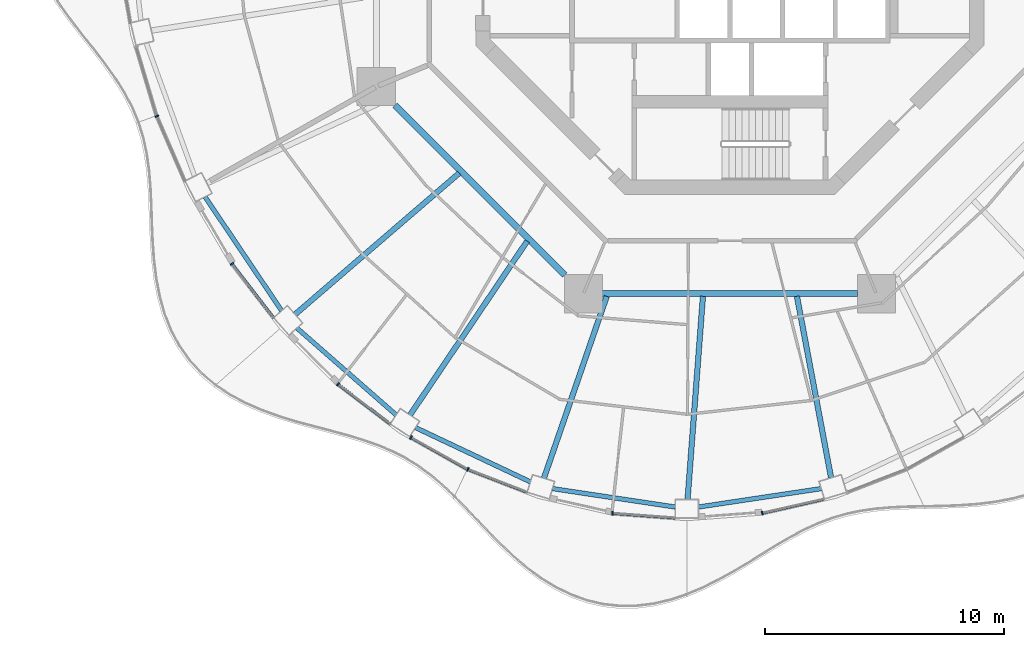
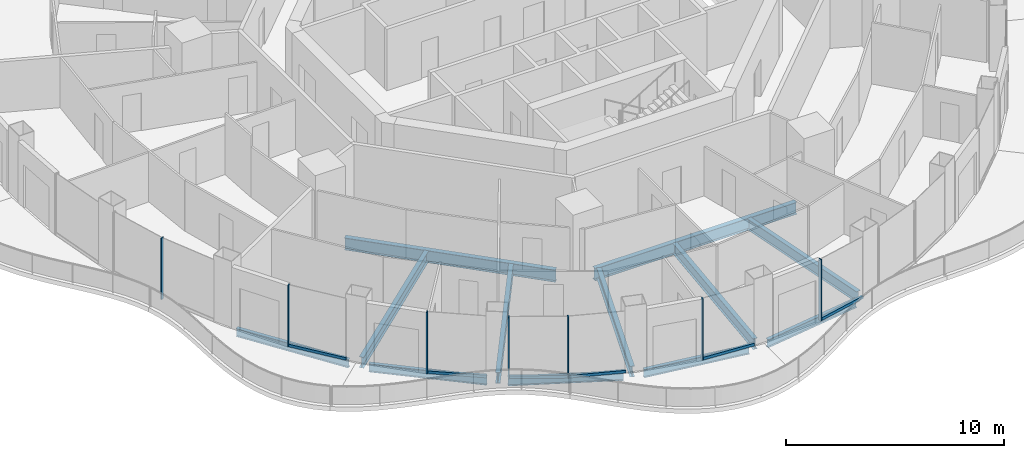
# One storey, part 2 of 18: 13 members, 12 beams, 7 elements without a shape of their own.
"""IFC4 building model written with IfcOpenShell, lengths in metres."""

from ifc_helpers import new_model, si_unit, direction, frame, origin, origin_2d, place, context, subcontext, project, spatial, rectangle, i_section, extrude, material, layer, layer_set, material_profile, profile_set, type_object, element, aggregate, save


model = new_model("IFC4")

# Units and contexts
model_context = context("Model", 3, precision=1e-05, world=origin(), true_north=direction((0.0, 1.0)))
body_context = subcontext(model_context, "Body", "Model", "MODEL_VIEW")
ifc_project = project(units=[si_unit("LENGTHUNIT", "METRE"), si_unit("AREAUNIT", "SQUARE_METRE"), si_unit("VOLUMEUNIT", "CUBIC_METRE"), si_unit("PLANEANGLEUNIT", "RADIAN"), si_unit("MASSUNIT", "GRAM", prefix="KILO")], contexts=[model_context])

# Site, building, storey
site_placement = place(None, origin())
site = spatial("IfcSite", under=ifc_project, at=site_placement, CompositionType="ELEMENT")
building_placement = place(site_placement, origin())
building = spatial("IfcBuilding", under=site, at=building_placement, Name="Nagisa Residences", CompositionType="ELEMENT")
storey_placement = place(building_placement, frame((0.0, 0.0, 227.0)))
storey = spatial("IfcBuildingStorey", under=building, at=storey_placement, Name="L57", CompositionType="ELEMENT", Elevation=227.0)

# Curtain wall, member
ifc_material_1 = material(Name="Concrete-coloured aluminium curtain wall system", Category="concrete")
ifc_layer = layer(ifc_material_1, 0.159912109375)
ifc_layer_set = layer_set([ifc_layer], Name="CW1 CURTAIN WALL")
curtain_wall_type = type_object("IfcCurtainWallType", Name="CW1 CURTAIN WALL", PredefinedType="NOTDEFINED", material=ifc_layer_set)
curtain_wall_1_placement = place(storey_placement, origin())
curtain_wall_1 = element("IfcCurtainWall", 1, at=curtain_wall_1_placement, inside=storey, type_object=curtain_wall_type, Name="cw:CW1:L57:27", PredefinedType="NOTDEFINED")
ifc_material_2 = material(Name="Concrete-coloured aluminium", Category="concrete")
ifc_material_profile_1 = material_profile(ifc_material_2, rectangle(XDim=0.159912109375, YDim=0.06005859375, at=origin_2d()), Name="CW1 MULLION 160x60")
ifc_profile_set_1 = profile_set([ifc_material_profile_1], Name="Concrete-coloured aluminium")
member_type_1 = type_object("IfcMemberType", Name="CW1 MULLION 160x60", PredefinedType="MULLION", material=ifc_profile_set_1)
member_1_placement = place(storey_placement, frame((-23.952392578125, -7.359619140625, 0.0), z_axis=(0.0, 0.0, 1.0), x_axis=(0.917543276295, 0.397635934147, 0.0)))
member_1 = element("IfcMember", 2, at=member_1_placement, type_object=member_type_1, Name="CW1 mullion", PredefinedType="MULLION", context=body_context, shape_type="SweptSolid", body=[
    extrude(rectangle(XDim=0.159912109375, YDim=0.06005859375, at=origin_2d()), origin(), (0.0, 0.0, 1.0), 3.43994140625),
])
aggregate(curtain_wall_1, [member_1])

curtain_wall_2_placement = place(storey_placement, origin())
curtain_wall_2 = element("IfcCurtainWall", 3, at=curtain_wall_2_placement, inside=storey, type_object=curtain_wall_type, Name="cw:CW1:L57:29", PredefinedType="NOTDEFINED")
member_2_placement = place(storey_placement, frame((-20.814453125, -13.53125, 0.0), z_axis=(0.0, 0.0, 1.0), x_axis=(0.792070340816, 0.610429828235, 0.0)))
member_2 = element("IfcMember", 4, at=member_2_placement, type_object=member_type_1, Name="CW1 mullion", PredefinedType="MULLION", context=body_context, shape_type="SweptSolid", body=[
    extrude(rectangle(XDim=0.159912109375, YDim=0.06005859375, at=origin_2d()), origin(), (0.0, 0.0, 1.0), 3.43994140625),
])

curtain_wall_3_placement = place(storey_placement, origin())
curtain_wall_3 = element("IfcCurtainWall", 5, at=curtain_wall_3_placement, inside=storey, type_object=curtain_wall_type, Name="cw:CW1:L57:31", PredefinedType="NOTDEFINED")
member_3_placement = place(storey_placement, frame((-16.380615234375, -18.566650390625, 0.0), z_axis=(0.0, 0.0, 1.0), x_axis=(0.605255421737, 0.79603132756, 0.0)))
member_3 = element("IfcMember", 6, at=member_3_placement, type_object=member_type_1, Name="CW1 mullion", PredefinedType="MULLION", context=body_context, shape_type="SweptSolid", body=[
    extrude(rectangle(XDim=0.159912109375, YDim=0.06005859375, at=origin_2d()), origin(), (0.0, 0.0, 1.0), 3.43994140625),
])

curtain_wall_4_placement = place(storey_placement, origin())
curtain_wall_4 = element("IfcCurtainWall", 7, at=curtain_wall_4_placement, inside=storey, type_object=curtain_wall_type, Name="cw:CW1:L57:32", PredefinedType="NOTDEFINED")
member_4_placement = place(storey_placement, frame((-13.333740234375, -20.792236328125, 0.0), z_axis=(0.0, 0.0, 1.0), x_axis=(0.489376918501, 0.872072377523, 0.0)))
member_4 = element("IfcMember", 8, at=member_4_placement, type_object=member_type_1, Name="CW1 mullion", PredefinedType="MULLION", context=body_context, shape_type="SweptSolid", body=[
    extrude(rectangle(XDim=0.159912109375, YDim=0.06005859375, at=origin_2d()), origin(), (0.0, 0.0, 1.0), 3.43994140625),
])

curtain_wall_5_placement = place(storey_placement, origin())
curtain_wall_5 = element("IfcCurtainWall", 9, at=curtain_wall_5_placement, inside=storey, type_object=curtain_wall_type, Name="cw:CW1:L57:33", PredefinedType="NOTDEFINED")
member_5_placement = place(storey_placement, frame((-10.954345703125, -22.12353515625, 0.0), z_axis=(0.0, 0.0, 1.0), x_axis=(0.360327770268, 0.932825759707, 0.0)))
member_5 = element("IfcMember", 10, at=member_5_placement, type_object=member_type_1, Name="CW1 mullion", PredefinedType="MULLION", context=body_context, shape_type="SweptSolid", body=[
    extrude(rectangle(XDim=0.159912109375, YDim=0.06005859375, at=origin_2d()), origin(), (0.0, 0.0, 1.0), 3.43994140625),
])

curtain_wall_6_placement = place(storey_placement, origin())
curtain_wall_6 = element("IfcCurtainWall", 11, at=curtain_wall_6_placement, inside=storey, type_object=curtain_wall_type, Name="cw:CW1:L57:35", PredefinedType="NOTDEFINED")
member_6_placement = place(storey_placement, frame((-4.906005859375, -23.96044921875, 0.0), z_axis=(0.0, 0.0, 1.0), x_axis=(0.074377355493, 0.997230168512, 0.0)))
member_6 = element("IfcMember", 12, at=member_6_placement, type_object=member_type_1, Name="CW1 mullion", PredefinedType="MULLION", context=body_context, shape_type="SweptSolid", body=[
    extrude(rectangle(XDim=0.159912109375, YDim=0.06005859375, at=origin_2d()), origin(), (0.0, 0.0, 1.0), 3.43994140625),
])

curtain_wall_7_placement = place(storey_placement, origin())
curtain_wall_7 = element("IfcCurtainWall", 13, at=curtain_wall_7_placement, inside=storey, type_object=curtain_wall_type, Name="cw:CW1:L57:37", PredefinedType="NOTDEFINED")
member_7_placement = place(storey_placement, frame((1.353271484375, -23.953369140625, 0.0), z_axis=(0.0, 0.0, 1.0), x_axis=(-0.2207639201, 0.975327274089, 0.0)))
member_7 = element("IfcMember", 14, at=member_7_placement, type_object=member_type_1, Name="CW1 mullion", PredefinedType="MULLION", context=body_context, shape_type="SweptSolid", body=[
    extrude(rectangle(XDim=0.159912109375, YDim=0.06005859375, at=origin_2d()), origin(), (0.0, 0.0, 1.0), 3.43994140625),
])

# Member
ifc_material_3 = material(Name="Concrete-coloured aluminium", Category="concrete")
ifc_material_profile_2 = material_profile(ifc_material_3, rectangle(XDim=0.1201171875, YDim=0.14990234375, at=origin_2d()), Name="CW1 TRANSOM 120x150")
ifc_profile_set_2 = profile_set([ifc_material_profile_2], Name="Concrete-coloured aluminium")
member_type_2 = type_object("IfcMemberType", Name="CW1 TRANSOM 120x150", PredefinedType="USERDEFINED", material=ifc_profile_set_2)
member_8_placement = place(storey_placement, frame((-20.832763671875, -13.507568359375, 0.074951171875), z_axis=(0.610438565676, -0.792063607001, 0.0), x_axis=(0.792063607001, 0.610438565676, 0.0)))
member_8 = element("IfcMember", 15, at=member_8_placement, type_object=member_type_2, Name="CW1 transom", ObjectType="TRANSOM", PredefinedType="USERDEFINED", context=body_context, shape_type="SweptSolid", body=[
    extrude(rectangle(XDim=0.1201171875, YDim=0.14990234375, at=origin_2d()), origin(), (0.0, 0.0, 1.0), 2.90087890625),
])

aggregate(curtain_wall_2, [member_2, member_8])

member_9_placement = place(storey_placement, frame((-16.404541015625, -18.548583984375, 0.074951171875), z_axis=(0.796064337132, -0.605212005124, 0.0), x_axis=(0.605212005124, 0.796064337132, 0.0)))
member_9 = element("IfcMember", 16, at=member_9_placement, type_object=member_type_2, Name="CW1 transom", ObjectType="TRANSOM", PredefinedType="USERDEFINED", context=body_context, shape_type="SweptSolid", body=[
    extrude(rectangle(XDim=0.1201171875, YDim=0.14990234375, at=origin_2d()), origin(), (0.0, 0.0, 1.0), 2.78857421875),
])

aggregate(curtain_wall_3, [member_3, member_9])

member_10_placement = place(storey_placement, frame((-13.35986328125, -20.777587890625, 0.074951171875), z_axis=(0.872063230277, -0.489393218586, 0.0), x_axis=(0.489393218586, 0.872063230277, 0.0)))
member_10 = element("IfcMember", 17, at=member_10_placement, type_object=member_type_2, Name="CW1 transom", ObjectType="TRANSOM", PredefinedType="USERDEFINED", context=body_context, shape_type="SweptSolid", body=[
    extrude(rectangle(XDim=0.1201171875, YDim=0.14990234375, at=origin_2d()), origin(), (0.0, 0.0, 1.0), 2.73828125),
])

aggregate(curtain_wall_4, [member_4, member_10])

member_11_placement = place(storey_placement, frame((-10.982421875, -22.11279296875, 0.074951171875), z_axis=(0.932838255163, -0.360295420044, 0.0), x_axis=(0.360295420044, 0.932838255163, 0.0)))
member_11 = element("IfcMember", 18, at=member_11_placement, type_object=member_type_2, Name="CW1 transom", ObjectType="TRANSOM", PredefinedType="USERDEFINED", context=body_context, shape_type="SweptSolid", body=[
    extrude(rectangle(XDim=0.1201171875, YDim=0.14990234375, at=origin_2d()), origin(), (0.0, 0.0, 1.0), 2.6962890625),
])

aggregate(curtain_wall_5, [member_5, member_11])

member_12_placement = place(storey_placement, frame((-4.935791015625, -23.958251953125, 0.074951171875), z_axis=(0.997233213085, -0.074336523458, 0.0), x_axis=(0.074336523458, 0.997233213085, 0.0)))
member_12 = element("IfcMember", 19, at=member_12_placement, type_object=member_type_2, Name="CW1 transom", ObjectType="TRANSOM", PredefinedType="USERDEFINED", context=body_context, shape_type="SweptSolid", body=[
    extrude(rectangle(XDim=0.1201171875, YDim=0.14990234375, at=origin_2d()), origin(), (0.0, 0.0, 1.0), 2.650390625),
])

aggregate(curtain_wall_6, [member_6, member_12])

member_13_placement = place(storey_placement, frame((1.32421875, -23.9599609375, 0.074951171875), z_axis=(0.975324089124, 0.220777990694, 0.0), x_axis=(-0.220777990694, 0.975324089124, 0.0)))
member_13 = element("IfcMember", 20, at=member_13_placement, type_object=member_type_2, Name="CW1 transom", ObjectType="TRANSOM", PredefinedType="USERDEFINED", context=body_context, shape_type="SweptSolid", body=[
    extrude(rectangle(XDim=0.1201171875, YDim=0.14990234375, at=origin_2d()), origin(), (0.0, 0.0, 1.0), 2.666015625),
])

aggregate(curtain_wall_7, [member_7, member_13])

# Beams
ifc_material_4 = material(Name="Steel ASTM A572 Gr 50", Category="steel")
ifc_material_profile_3 = material_profile(ifc_material_4, i_section(OverallWidth=0.2529296875, OverallDepth=0.677978515625, WebThickness=0.01171875, FlangeThickness=0.016357421875, at=origin_2d()), Name="W690x125")
ifc_profile_set_3 = profile_set([ifc_material_profile_3], Name="Steel ASTM A572 Gr 50")
beam_type_1 = type_object("IfcBeamType", Name="Inner ring beam W690x125", PredefinedType="BEAM", material=ifc_profile_set_3)
beam_1_placement = place(storey_placement, frame((-13.99609375, -6.90869140625, -0.59912109375), z_axis=(0.707106781187, -0.707106781187, 0.0), x_axis=(0.707106781187, 0.707106781187, 0.0)))
element("IfcBeam", 21, at=beam_1_placement, inside=storey, type_object=beam_type_1, Name="beam:L57:ib5", PredefinedType="BEAM", context=body_context, shape_type="SweptSolid", body=[
    extrude(i_section(OverallWidth=0.2529296875, OverallDepth=0.677978515625, WebThickness=0.01171875, FlangeThickness=0.016357421875, at=origin_2d()), origin(), (0.0, 0.0, 1.0), 10.023193359375),
])
beam_2_placement = place(storey_placement, frame((-5.343017578125, -14.781982421875, -0.59912109375), z_axis=(1.0, 0.0, 0.0), x_axis=(0.0, 1.0, 0.0)))
element("IfcBeam", 22, at=beam_2_placement, inside=storey, type_object=beam_type_1, Name="beam:L57:ib6", PredefinedType="BEAM", context=body_context, shape_type="SweptSolid", body=[
    extrude(i_section(OverallWidth=0.2529296875, OverallDepth=0.677978515625, WebThickness=0.01171875, FlangeThickness=0.016357421875, at=origin_2d()), origin(), (0.0, 0.0, 1.0), 10.68603515625),
])
ifc_material_5 = material(Name="Steel ASTM A572 Gr 50", Category="steel")
ifc_material_profile_4 = material_profile(ifc_material_5, i_section(OverallWidth=0.18994140625, OverallDepth=0.45703125, WebThickness=0.009033203125, FlangeThickness=0.014404296875, at=origin_2d()), Name="W460x74")
ifc_profile_set_4 = profile_set([ifc_material_profile_4], Name="Steel ASTM A572 Gr 50")
beam_type_2 = type_object("IfcBeamType", Name="Perimeter ring beam W460x74", PredefinedType="BEAM", material=ifc_profile_set_4)
beam_3_placement = place(storey_placement, frame((-21.942138671875, -10.728759765625, -0.488525390625), z_axis=(0.558079852096, -0.829787249049, 0.0), x_axis=(0.829787249049, 0.558079852096, 0.0)))
element("IfcBeam", 23, at=beam_3_placement, inside=storey, type_object=beam_type_2, Name="beam:L57:pb15", PredefinedType="BEAM", context=body_context, shape_type="SweptSolid", body=[
    extrude(i_section(OverallWidth=0.18994140625, OverallDepth=0.45703125, WebThickness=0.009033203125, FlangeThickness=0.014404296875, at=origin_2d()), origin(), (0.0, 0.0, 1.0), 5.743408203125),
])
beam_4_placement = place(storey_placement, frame((-18.10205078125, -16.21533203125, -0.488525390625), z_axis=(0.75242320672, -0.65867998147, 0.0), x_axis=(0.65867998147, 0.75242320672, 0.0)))
element("IfcBeam", 24, at=beam_4_placement, inside=storey, type_object=beam_type_2, Name="beam:L57:pb16", PredefinedType="BEAM", context=body_context, shape_type="SweptSolid", body=[
    extrude(i_section(OverallWidth=0.18994140625, OverallDepth=0.45703125, WebThickness=0.009033203125, FlangeThickness=0.014404296875, at=origin_2d()), origin(), (0.0, 0.0, 1.0), 5.5185546875),
])
beam_5_placement = place(storey_placement, frame((-13.146484375, -20.376953125, -0.488525390625), z_axis=(0.904133867308, -0.42724928319, 0.0), x_axis=(0.42724928319, 0.904133867308, 0.0)))
element("IfcBeam", 25, at=beam_5_placement, inside=storey, type_object=beam_type_2, Name="beam:L57:pb17", PredefinedType="BEAM", context=body_context, shape_type="SweptSolid", body=[
    extrude(i_section(OverallWidth=0.18994140625, OverallDepth=0.45703125, WebThickness=0.009033203125, FlangeThickness=0.014404296875, at=origin_2d()), origin(), (0.0, 0.0, 1.0), 5.317138671875),
])
for number, where, z_axis, x_axis, name in (
    (26, (-7.42041015625, -22.92822265625, -0.488525390625), (0.988909463745, -0.148519603133, 0.0), (0.148519603133, 0.988909463745, 0.0), "beam:L57:pb18"),
    (27, (-1.31982421875, -23.7001953125, -0.488525390625), (0.988909463745, 0.148519603133, 0.0), (-0.148519603133, 0.988909463745, 0.0), "beam:L57:pb19"),
):
    element("IfcBeam", number, at=place(storey_placement, frame(where, z_axis=z_axis, x_axis=x_axis)), inside=storey, type_object=beam_type_2, Name=name, PredefinedType="BEAM", context=body_context, shape_type="SweptSolid", body=[
        extrude(i_section(OverallWidth=0.18994140625, OverallDepth=0.45703125, WebThickness=0.009033203125, FlangeThickness=0.014404296875, at=origin_2d()), origin(), (0.0, 0.0, 1.0), 5.19775390625),
    ])
ifc_material_6 = material(Name="Steel ASTM A572 Gr 50", Category="steel")
ifc_material_profile_5 = material_profile(ifc_material_6, i_section(OverallWidth=0.22802734375, OverallDepth=0.60302734375, WebThickness=0.010498046875, FlangeThickness=0.014892578125, at=origin_2d()), Name="W610x101")
ifc_profile_set_5 = profile_set([ifc_material_profile_5], Name="Steel ASTM A572 Gr 50")
beam_type_3 = type_object("IfcBeamType", Name="Radial beam W610x101", PredefinedType="BEAM", material=ifc_profile_set_5)
beam_6_placement = place(storey_placement, frame((-18.178466796875, -15.6484375, -0.5615234375), z_axis=(0.7578828397, 0.652390681485, 0.0), x_axis=(-0.652390681485, 0.7578828397, 0.0)))
element("IfcBeam", 28, at=beam_6_placement, inside=storey, type_object=beam_type_3, Name="beam:L57:rb16", PredefinedType="BEAM", context=body_context, shape_type="SweptSolid", body=[
    extrude(i_section(OverallWidth=0.22802734375, OverallDepth=0.60302734375, WebThickness=0.010498046875, FlangeThickness=0.014892578125, at=origin_2d()), origin(), (0.0, 0.0, 1.0), 9.055908203125),
])
beam_7_placement = place(storey_placement, frame((-13.372802734375, -19.8544921875, -0.5615234375), z_axis=(0.558639079644, 0.829410862416, 0.0), x_axis=(-0.829410862416, 0.558639079644, 0.0)))
element("IfcBeam", 29, at=beam_7_placement, inside=storey, type_object=beam_type_3, Name="beam:L57:rb17", PredefinedType="BEAM", context=body_context, shape_type="SweptSolid", body=[
    extrude(i_section(OverallWidth=0.22802734375, OverallDepth=0.60302734375, WebThickness=0.010498046875, FlangeThickness=0.014892578125, at=origin_2d()), origin(), (0.0, 0.0, 1.0), 8.7685546875),
])
beam_8_placement = place(storey_placement, frame((-7.776123046875, -22.49658203125, -0.5615234375), z_axis=(0.32669171318, 0.945130956291, 0.0), x_axis=(-0.945130956291, 0.32669171318, 0.0)))
element("IfcBeam", 30, at=beam_8_placement, inside=storey, type_object=beam_type_3, Name="beam:L57:rb18", PredefinedType="BEAM", context=body_context, shape_type="SweptSolid", body=[
    extrude(i_section(OverallWidth=0.22802734375, OverallDepth=0.60302734375, WebThickness=0.010498046875, FlangeThickness=0.014892578125, at=origin_2d()), origin(), (0.0, 0.0, 1.0), 8.048583984375),
])
beam_9_placement = place(storey_placement, frame((-1.771240234375, -23.392333984375, -0.5615234375), z_axis=(0.075492377513, 0.997146378892, 0.0), x_axis=(-0.997146378892, 0.075492377513, 0.0)))
element("IfcBeam", 31, at=beam_9_placement, inside=storey, type_object=beam_type_3, Name="beam:L57:rb19", PredefinedType="BEAM", context=body_context, shape_type="SweptSolid", body=[
    extrude(i_section(OverallWidth=0.22802734375, OverallDepth=0.60302734375, WebThickness=0.010498046875, FlangeThickness=0.014892578125, at=origin_2d()), origin(), (0.0, 0.0, 1.0), 8.528076171875),
])
beam_10_placement = place(storey_placement, frame((4.229736328125, -22.480224609375, -0.5615234375), z_axis=(-0.184925861179, 0.982752474363, 0.0), x_axis=(-0.982752474363, -0.184925861179, 0.0)))
element("IfcBeam", 32, at=beam_10_placement, inside=storey, type_object=beam_type_3, Name="beam:L57:rb20", PredefinedType="BEAM", context=body_context, shape_type="SweptSolid", body=[
    extrude(i_section(OverallWidth=0.22802734375, OverallDepth=0.60302734375, WebThickness=0.010498046875, FlangeThickness=0.014892578125, at=origin_2d()), origin(), (0.0, 0.0, 1.0), 7.724609375),
])

save(model, "model.ifc")
